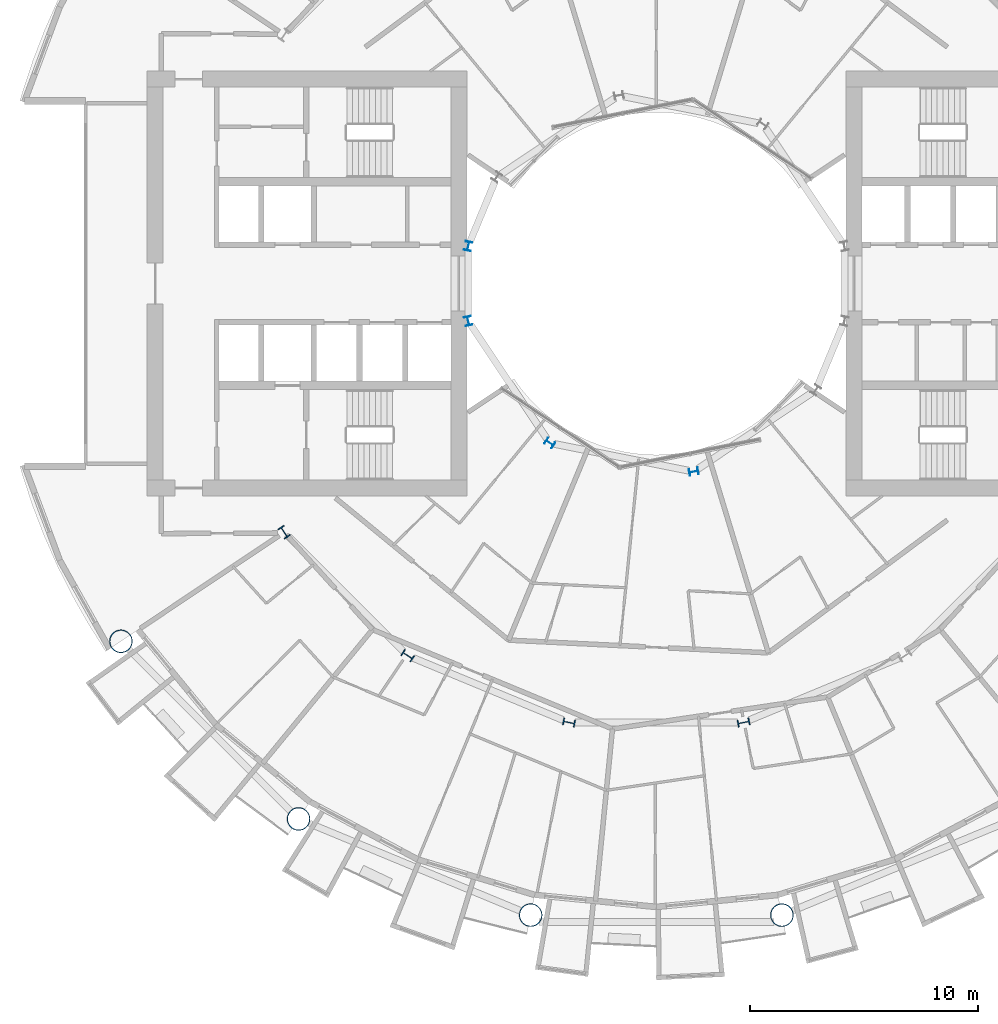
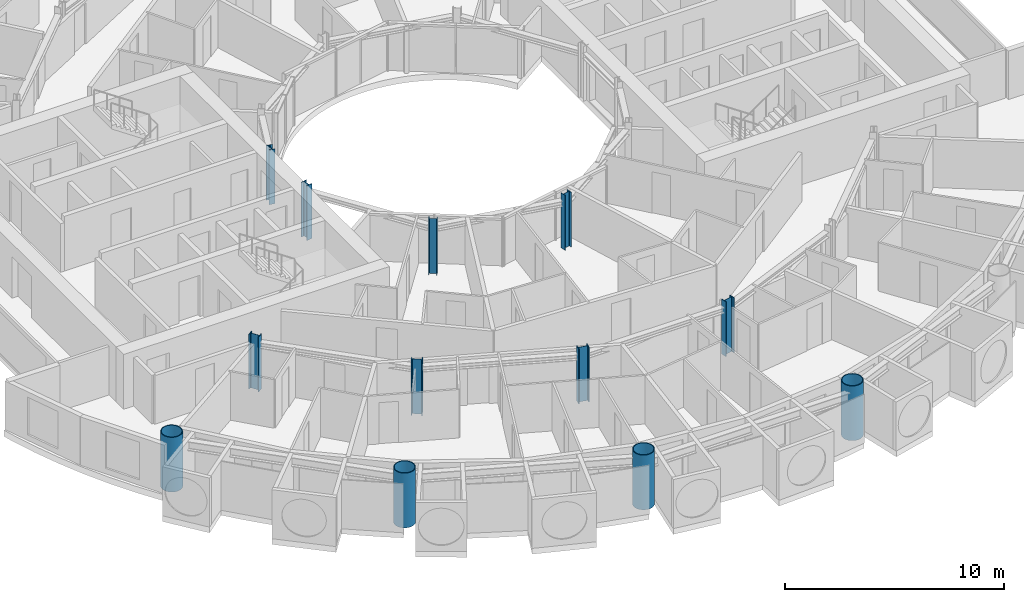
# One storey, part 1 of 26: 12 columns.
"""IFC4 building model written with IfcOpenShell, lengths in metres."""

from ifc_helpers import new_model, si_unit, direction, frame, origin, origin_2d, place, context, subcontext, project, spatial, hollow_circle, i_section, extrude, material, material_profile, profile_set, type_object, element, save


model = new_model("IFC4")

# Units and contexts
model_context = context("Model", 3, precision=1e-05, world=origin(), true_north=direction((0.0, 1.0)))
body_context = subcontext(model_context, "Body", "Model", "MODEL_VIEW")
ifc_project = project(units=[si_unit("LENGTHUNIT", "METRE"), si_unit("AREAUNIT", "SQUARE_METRE"), si_unit("VOLUMEUNIT", "CUBIC_METRE"), si_unit("PLANEANGLEUNIT", "RADIAN"), si_unit("MASSUNIT", "GRAM", prefix="KILO")], contexts=[model_context])

# Site, building, storey
site_placement = place(None, origin())
site = spatial("IfcSite", under=ifc_project, at=site_placement, CompositionType="ELEMENT")
building_placement = place(site_placement, origin())
building = spatial("IfcBuilding", under=site, at=building_placement, Name="Maasbend Ring Residences", CompositionType="ELEMENT")
storey_placement = place(building_placement, frame((0.0, 0.0, 78.85009765625)))
storey = spatial("IfcBuildingStorey", under=building, at=storey_placement, Name="L22", CompositionType="ELEMENT", Elevation=78.85009765625)

# Columns
ifc_material_1 = material(Name="Composite concrete-filled steel tube S460NH / C80/95", Category="concrete")
ifc_material_profile_1 = material_profile(ifc_material_1, hollow_circle(Radius=0.508056640625, WallThickness=0.0400390625, at=origin_2d()), Name="Composite tube column CHS 1016x40")
ifc_profile_set_1 = profile_set([ifc_material_profile_1], Name="Composite concrete-filled steel tube S460NH / C80/95")
column_type_1 = type_object("IfcColumnType", Name="Composite tube column CHS 1016x40", PredefinedType="COLUMN", material=ifc_profile_set_1)
for number, where, z_axis, x_axis, name in (
    (1, (-23.447509765625, -15.6669921875, 0.0), (0.0, 0.0, 1.0), (1.0, 0.0, 0.0), "Outer column R10"),
    (2, (-15.6669921875, -23.447509765625, 0.0), (0.0, 0.0, 1.0), (1.0, 0.0, 0.0), "Outer column R11"),
    (3, (-5.50146484375, -27.658203125, 0.0), (0.0, 0.0, 1.0), (1.0, 0.0, 0.0), "Outer column R12"),
    (4, (5.50146484375, -27.658203125, 0.0), (0.0, 0.0, 1.0), (1.0, 0.0, 0.0), "Outer column R13"),
):
    element("IfcColumn", number, at=place(storey_placement, frame(where, z_axis=z_axis, x_axis=x_axis)), inside=storey, type_object=column_type_1, Name=name, PredefinedType="COLUMN", context=body_context, shape_type="SweptSolid", body=[
        extrude(hollow_circle(Radius=0.508056640625, WallThickness=0.0400390625, at=origin_2d()), origin(), (0.0, 0.0, 1.0), 3.0498046875),
    ])
ifc_material_2 = material(Name="Steel S355J2", Category="steel")
ifc_material_profile_2 = material_profile(ifc_material_2, i_section(OverallWidth=0.300048828125, OverallDepth=0.39990234375, WebThickness=0.013427734375, FlangeThickness=0.02392578125, FilletRadius=0.027099609375, at=origin_2d()), Name="HEB 400")
ifc_profile_set_2 = profile_set([ifc_material_profile_2], Name="Steel S355J2")
column_type_2 = type_object("IfcColumnType", Name="Steel column HEB 400", PredefinedType="COLUMN", material=ifc_profile_set_2)
for number, where, z_axis, x_axis, name in (
    (5, (-8.238525390625, 1.638916015625, 0.0), (0.0, 0.0, 1.0), (-0.980785280403, 0.195090322016, 0.0), "Well ring column R8"),
    (6, (-8.238525390625, -1.638916015625, 0.0), (0.0, 0.0, 1.0), (-0.980785280403, -0.195090322016, 0.0), "Well ring column R9"),
    (7, (-4.666748046875, -6.984375, 0.0), (0.0, 0.0, 1.0), (-0.55557023302, -0.831469612303, 0.0), "Well ring column R11"),
    (8, (1.638916015625, -8.238525390625, 0.0), (0.0, 0.0, 1.0), (0.195090322016, -0.980785280403, 0.0), "Well ring column R13"),
):
    element("IfcColumn", number, at=place(storey_placement, frame(where, z_axis=z_axis, x_axis=x_axis)), inside=storey, type_object=column_type_2, Name=name, PredefinedType="COLUMN", context=body_context, shape_type="SweptSolid", body=[
        extrude(i_section(OverallWidth=0.300048828125, OverallDepth=0.39990234375, WebThickness=0.013427734375, FlangeThickness=0.02392578125, FilletRadius=0.027099609375, at=origin_2d()), origin(), (0.0, 0.0, 1.0), 3.0498046875),
    ])
ifc_material_3 = material(Name="Steel S460M", Category="steel")
ifc_material_profile_3 = material_profile(ifc_material_3, i_section(OverallWidth=0.305908203125, OverallDepth=0.52392578125, WebThickness=0.02099609375, FlangeThickness=0.0400390625, FilletRadius=0.027099609375, at=origin_2d()), Name="HEM 500")
ifc_profile_set_3 = profile_set([ifc_material_profile_3], Name="Steel S460M")
column_type_3 = type_object("IfcColumnType", Name="Steel column HEM 500", PredefinedType="COLUMN", material=ifc_profile_set_3)
for number, where, z_axis, x_axis, name in (
    (9, (-16.296875, -10.88916015625, 0.0), (0.0, 0.0, 1.0), (-0.831469612303, -0.55557023302, 0.0), "Corridor ring column R10"),
    (10, (-10.88916015625, -16.296875, 0.0), (0.0, 0.0, 1.0), (-0.55557023302, -0.831469612303, 0.0), "Corridor ring column R11"),
    (11, (-3.82373046875, -19.223388671875, 0.0), (0.0, 0.0, 1.0), (-0.195090322016, -0.980785280403, 0.0), "Corridor ring column R12"),
    (12, (3.82373046875, -19.223388671875, 0.0), (0.0, 0.0, 1.0), (0.195090322016, -0.980785280403, 0.0), "Corridor ring column R13"),
):
    element("IfcColumn", number, at=place(storey_placement, frame(where, z_axis=z_axis, x_axis=x_axis)), inside=storey, type_object=column_type_3, Name=name, PredefinedType="COLUMN", context=body_context, shape_type="SweptSolid", body=[
        extrude(i_section(OverallWidth=0.305908203125, OverallDepth=0.52392578125, WebThickness=0.02099609375, FlangeThickness=0.0400390625, FilletRadius=0.027099609375, at=origin_2d()), origin(), (0.0, 0.0, 1.0), 3.0498046875),
    ])

save(model, "model.ifc")
